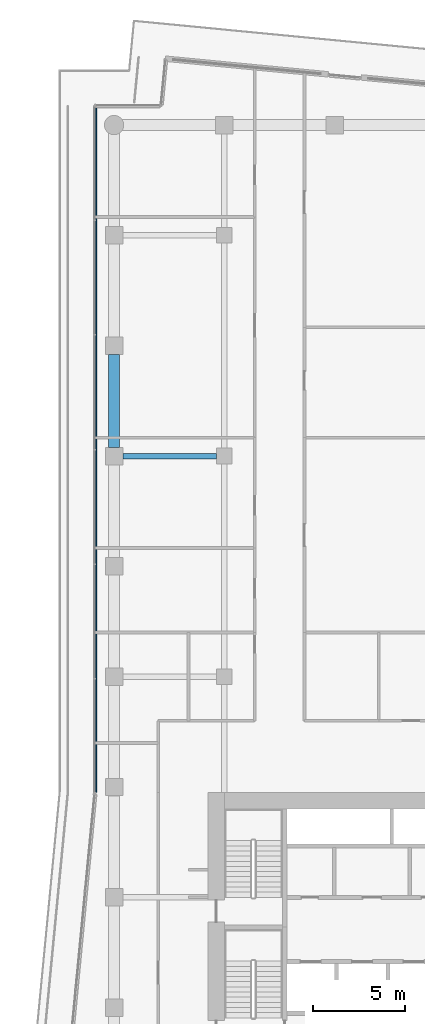
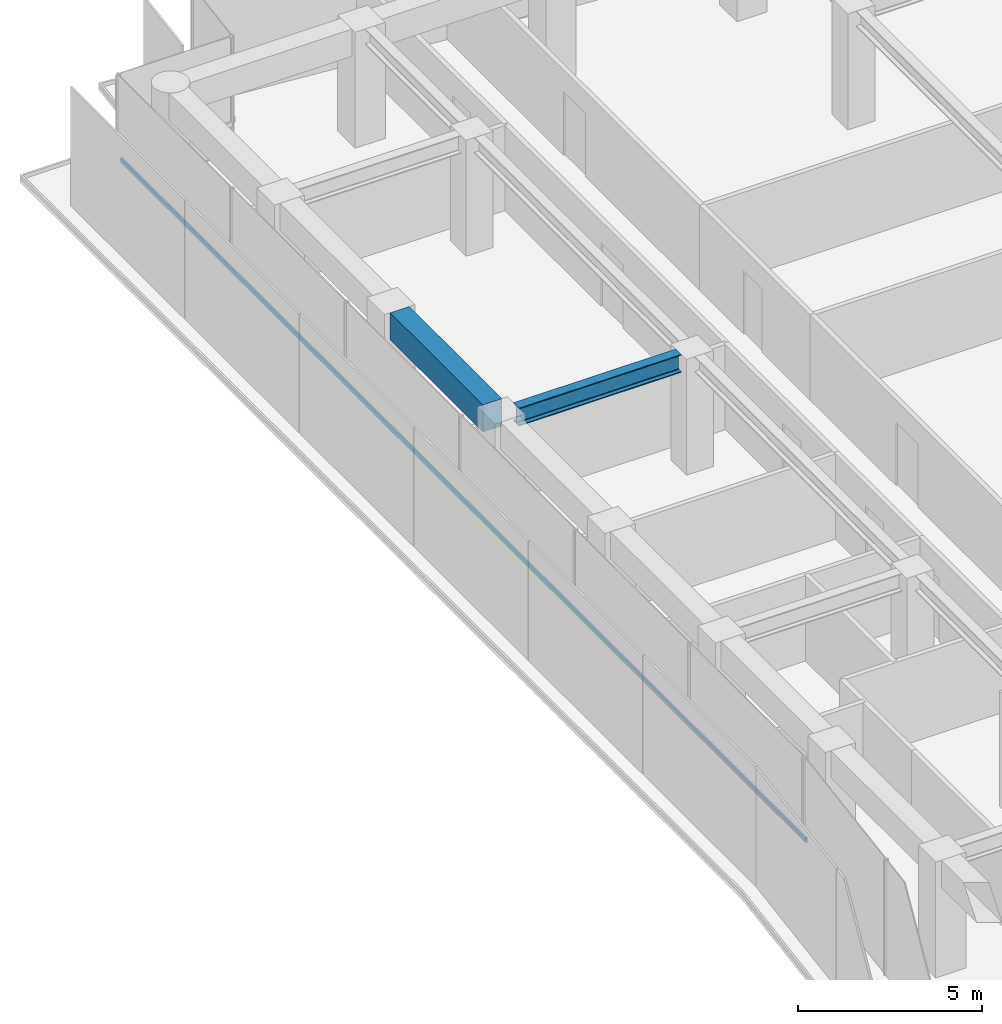
# One storey, part 15 of 31: 2 beams, 1 member, 1 element without a shape of its own.
"""IFC4 building model written with IfcOpenShell, lengths in metres."""

from ifc_helpers import new_model, si_unit, direction, frame, origin, origin_2d, place, context, subcontext, project, spatial, rectangle, i_section, extrude, material, layer, layer_set, material_profile, profile_set, type_object, element, aggregate, save


model = new_model("IFC4")

# Units and contexts
model_context = context("Model", 3, precision=1e-05, world=origin(), true_north=direction((0.0, 1.0)))
body_context = subcontext(model_context, "Body", "Model", "MODEL_VIEW")
ifc_project = project(units=[si_unit("LENGTHUNIT", "METRE"), si_unit("AREAUNIT", "SQUARE_METRE"), si_unit("VOLUMEUNIT", "CUBIC_METRE"), si_unit("PLANEANGLEUNIT", "RADIAN"), si_unit("MASSUNIT", "GRAM", prefix="KILO")], contexts=[model_context])

# Site, building, storey
site_placement = place(None, origin())
site = spatial("IfcSite", under=ifc_project, at=site_placement, CompositionType="ELEMENT")
building_placement = place(site_placement, origin())
building = spatial("IfcBuilding", under=site, at=building_placement, Name="Welwitschia Terrace Campus", CompositionType="ELEMENT")
storey_placement = place(building_placement, frame((0.0, 0.0, 29.0)))
storey = spatial("IfcBuildingStorey", under=building, at=storey_placement, Name="L06", CompositionType="ELEMENT", Elevation=29.0)

# Beams
ifc_material_1 = material(Name="Steel S355", Category="steel")
ifc_material_profile_1 = material_profile(ifc_material_1, i_section(OverallWidth=0.300048828125, OverallDepth=0.60009765625, WebThickness=0.015380859375, FlangeThickness=0.030029296875, FilletRadius=0.027099609375, at=origin_2d()))
ifc_profile_set_1 = profile_set([ifc_material_profile_1], Name="Steel S355")
beam_type_1 = type_object("IfcBeamType", Name="Primary beam HE 600 B", PredefinedType="BEAM", material=ifc_profile_set_1)
beam_1_placement = place(storey_placement, frame((0.4755859375, 44.0, 3.550048828125), z_axis=(1.0, 0.0, 0.0), x_axis=(0.0, 1.0, 0.0)))
element("IfcBeam", 1, at=beam_1_placement, inside=storey, type_object=beam_type_1, Name="Primary beam PB2", PredefinedType="BEAM", context=body_context, shape_type="SweptSolid", body=[
    extrude(i_section(OverallWidth=0.300048828125, OverallDepth=0.60009765625, WebThickness=0.015380859375, FlangeThickness=0.030029296875, FilletRadius=0.027099609375, at=origin_2d()), origin(), (0.0, 0.0, 1.0), 5.098876953125),
])
ifc_material_2 = material(Name="Concrete C60/75", Category="concrete")
ifc_material_profile_2 = material_profile(ifc_material_2, rectangle(XDim=0.60009765625, YDim=0.89990234375, at=origin_2d()))
ifc_profile_set_2 = profile_set([ifc_material_profile_2], Name="Concrete C60/75")
beam_type_2 = type_object("IfcBeamType", Name="Ring spandrel 600x900", PredefinedType="SPANDREL", material=ifc_profile_set_2)
beam_2_placement = place(storey_placement, frame((0.0, 49.5244140625, 3.39990234375), z_axis=(0.0, -1.0, 0.0), x_axis=(1.0, 0.0, 0.0)))
element("IfcBeam", 2, at=beam_2_placement, inside=storey, type_object=beam_type_2, Name="Spandrel SP2", PredefinedType="SPANDREL", context=body_context, shape_type="SweptSolid", body=[
    extrude(rectangle(XDim=0.60009765625, YDim=0.89990234375, at=origin_2d()), origin(), (0.0, 0.0, 1.0), 5.048828125),
])

# Curtain wall, member
ifc_material_3 = material(Name="Bronze anodised aluminium", Category="aluminium")
ifc_layer = layer(ifc_material_3, 0.1201171875)
ifc_layer_set = layer_set([ifc_layer], Name="Bronze anodised aluminium")
curtain_wall_type = type_object("IfcCurtainWallType", Name="Curtain wall CW2 tower 6000", PredefinedType="NOTDEFINED", material=ifc_layer_set)
curtain_wall_placement = place(storey_placement, origin())
curtain_wall = element("IfcCurtainWall", 3, at=curtain_wall_placement, inside=storey, type_object=curtain_wall_type, Name="CW L06.16.0", PredefinedType="NOTDEFINED")
ifc_material_4 = material(Name="Bronze anodised aluminium", Category="aluminium")
ifc_material_profile_3 = material_profile(ifc_material_4, rectangle(XDim=0.06005859375, YDim=0.14990234375, at=origin_2d()))
ifc_profile_set_3 = profile_set([ifc_material_profile_3], Name="Bronze anodised aluminium")
member_type = type_object("IfcMemberType", Name="Transom 60x150", PredefinedType="USERDEFINED", material=ifc_profile_set_3)
member_placement = place(storey_placement, frame((-0.968017578125, 62.998046875, 1.0), z_axis=(0.0, -1.0, 0.0), x_axis=(1.0, 0.0, 0.0)))
member = element("IfcMember", 4, at=member_placement, type_object=member_type, Name="Transom L06.16.0", ObjectType="TRANSOM", PredefinedType="USERDEFINED", context=body_context, shape_type="SweptSolid", body=[
    extrude(rectangle(XDim=0.06005859375, YDim=0.14990234375, at=origin_2d()), origin(), (0.0, 0.0, 1.0), 37.292236328125),
])
aggregate(curtain_wall, [member])

save(model, "model.ifc")
